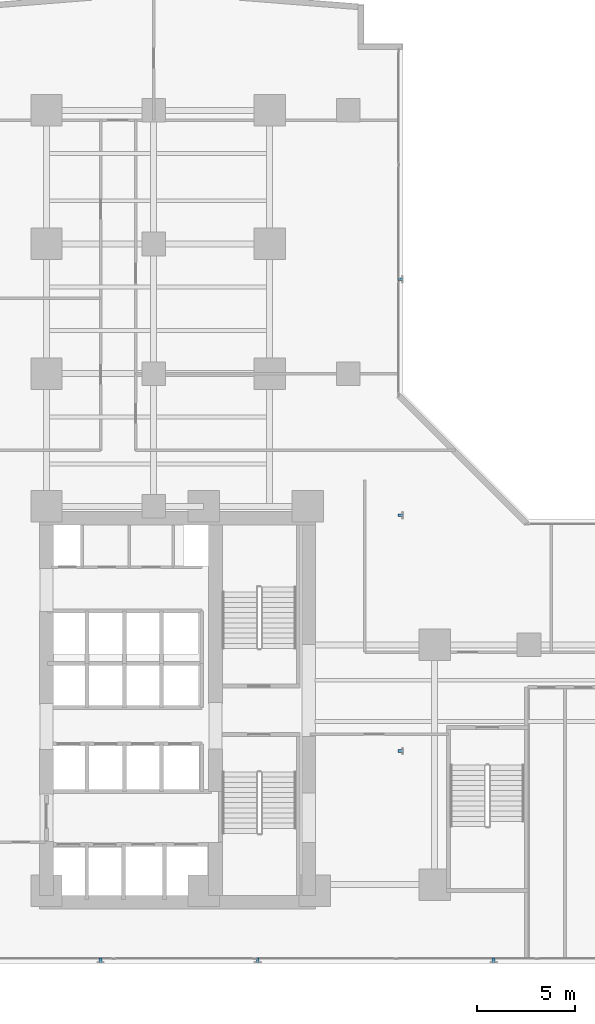
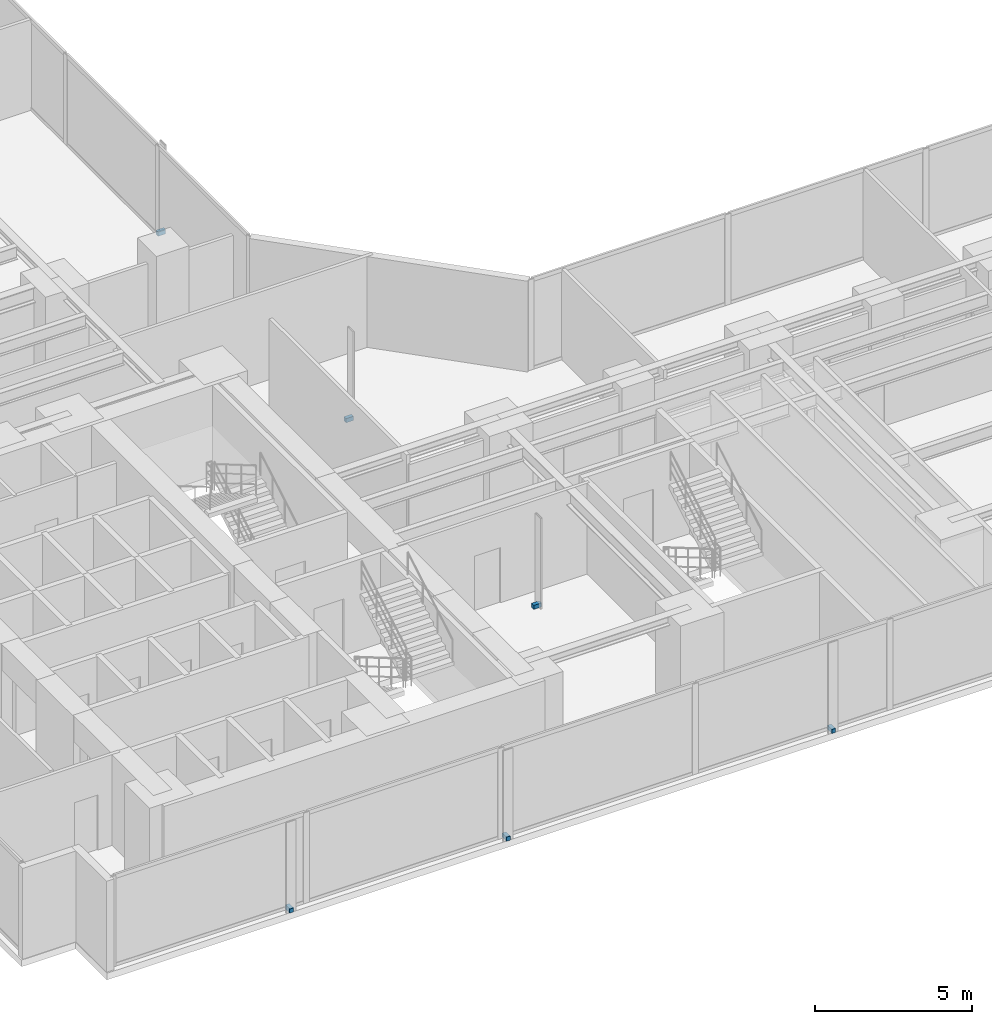
# One storey, part 25 of 28: 6 discrete accessories.
"""IFC4 building model written with IfcOpenShell, lengths in metres."""

import ifcopenshell
import ifcopenshell.guid

model = None  # the IFC model being written
_history = None  # IfcOwnerHistory: only IFC2X3 demands one
_inside = {}  # id of a spatial element -> (the spatial element, [elements in it])
_under = {}  # id of a project, library or spatial element -> (it, [spatial elements below it])
_declared = {}  # id of a project -> (the project, [libraries it declares])
_typed = {}  # id of a type object -> (the type object, [elements of that type])
_made_of = {}  # id of a material, layer set ... -> (it, [elements and type objects made of it])


def new_model(schema):
    """Start an empty IFC model of exactly this schema.

    Asked for "IFC4X3", IfcOpenShell would pick the latest addendum, in which some entities
    have other attributes; the version numbers below select the first issue.
    IFC2X3 requires an IfcOwnerHistory on every rooted entity: one is made here for all.
    """
    global model, _history
    if schema == "IFC4X3":
        model = ifcopenshell.file(schema_version=(4, 3, 0, 0))
    else:
        model = ifcopenshell.file(schema=schema)
    _inside.clear()
    _under.clear()
    _declared.clear()
    _typed.clear()
    _made_of.clear()
    _history = None
    if model.schema == "IFC2X3":
        org = make("IfcOrganization", Name="unknown")
        user = make(
            "IfcPersonAndOrganization",
            ThePerson=make("IfcPerson", FamilyName="unknown"),
            TheOrganization=org,
        )
        app = make(
            "IfcApplication",
            ApplicationDeveloper=org,
            Version="unknown",
            ApplicationFullName="unknown",
            ApplicationIdentifier="unknown",
        )
        _history = make(
            "IfcOwnerHistory",
            OwningUser=user,
            OwningApplication=app,
            ChangeAction="ADDED",
            CreationDate=0,
        )
    return model


def make(cls, **values):
    """One entity of the class cls with the attributes given. An attribute that is None is left unset."""
    return model.create_entity(
        cls, **{name: value for name, value in values.items() if value is not None}
    )


def rooted(cls, **values):
    """An entity with a GlobalId (a new one), such as an element, a storey or a relation."""
    return make(cls, GlobalId=ifcopenshell.guid.new(), OwnerHistory=_history, **values)


def si_unit(unit_type, name, prefix=None):
    """IfcSIUnit, for example si_unit("LENGTHUNIT", "METRE", prefix="MILLI")."""
    return make("IfcSIUnit", UnitType=unit_type, Prefix=prefix, Name=name)


def assignment(units):
    """IfcUnitAssignment: the units of a project."""
    return None if units is None else make("IfcUnitAssignment", Units=units)


def point(xyz):
    """IfcCartesianPoint."""
    return None if xyz is None else make("IfcCartesianPoint", Coordinates=xyz)


def direction(xyz):
    """IfcDirection."""
    return None if xyz is None else make("IfcDirection", DirectionRatios=xyz)


def frame(location, z_axis=None, x_axis=None):
    """IfcAxis2Placement3D, a coordinate frame: its origin and axes. An axis left out is left unset."""
    return make(
        "IfcAxis2Placement3D",
        Location=point(location),
        Axis=direction(z_axis),
        RefDirection=direction(x_axis),
    )


def frame_2d(location, x_axis=None):
    """IfcAxis2Placement2D, a coordinate frame in the plane: its origin and x axis."""
    return make(
        "IfcAxis2Placement2D", Location=point(location), RefDirection=direction(x_axis)
    )


def origin():
    """The frame at (0, 0, 0) with its axes left unset."""
    return frame((0.0, 0.0, 0.0))


def origin_with_axes():
    """The frame at (0, 0, 0) with the z axis (0, 0, 1) and the x axis (1, 0, 0) written out."""
    return frame((0.0, 0.0, 0.0), z_axis=(0.0, 0.0, 1.0), x_axis=(1.0, 0.0, 0.0))


def origin_2d():
    """The frame at (0, 0) in the plane with its x axis left unset."""
    return frame_2d((0.0, 0.0))


def place(relative_to, where):
    """IfcLocalPlacement: puts the frame where relative to a parent placement (None: the world)."""
    return make(
        "IfcLocalPlacement", PlacementRelTo=relative_to, RelativePlacement=where
    )


def context(
    kind, dimensions, precision=None, world=None, true_north=None, identifier=None
):
    """IfcGeometricRepresentationContext, for example the 3D "Model" context."""
    return make(
        "IfcGeometricRepresentationContext",
        ContextIdentifier=identifier,
        ContextType=kind,
        CoordinateSpaceDimension=dimensions,
        Precision=precision,
        WorldCoordinateSystem=world,
        TrueNorth=true_north,
    )


def subcontext(parent, identifier, kind, view, scale=None):
    """IfcGeometricRepresentationSubContext, for example "Body" below "Model"."""
    return make(
        "IfcGeometricRepresentationSubContext",
        ContextIdentifier=identifier,
        ContextType=kind,
        ParentContext=parent,
        TargetScale=scale,
        TargetView=view,
    )


def project(units=None, contexts=None):
    """IfcProject with its units and contexts."""
    return rooted(
        "IfcProject",
        Name="project",
        RepresentationContexts=contexts,
        UnitsInContext=assignment(units),
    )


def spatial(cls, under=None, at=None, **own):
    """A site, building, storey or space (cls), placed at a placement, below another one or the project."""
    s = rooted(cls, ObjectPlacement=at, **own)
    if under is not None:
        _under.setdefault(under.id(), (under, []))[1].append(s)
    return s


def profile(cls, at=None, kind="AREA", **sizes):
    """A parametric profile (cls). Its sizes go by their IFC names, for example OverallWidth=200.0."""
    return make(cls, ProfileType=kind, Position=at, **sizes)


def rectangle(**sizes):
    """IfcRectangleProfileDef."""
    return profile("IfcRectangleProfileDef", **sizes)


def extrude(swept, where, along, depth):
    """IfcExtrudedAreaSolid: the profile swept, set in the frame where, extruded along a direction by depth."""
    return make(
        "IfcExtrudedAreaSolid",
        SweptArea=swept,
        Position=where,
        ExtrudedDirection=direction(along),
        Depth=depth,
    )


def shape(context_of_items, identifier, shape_type, items):
    """IfcShapeRepresentation: the items that make up one representation, for example the "Body"."""
    return make(
        "IfcShapeRepresentation",
        ContextOfItems=context_of_items,
        RepresentationIdentifier=identifier,
        RepresentationType=shape_type,
        Items=items,
    )


def source(mapping_origin, context_of_items, identifier, shape_type, items):
    """IfcRepresentationMap: a shape defined once, which mapped items show again and again."""
    return make(
        "IfcRepresentationMap",
        MappingOrigin=mapping_origin,
        MappedRepresentation=shape(context_of_items, identifier, shape_type, items),
    )


def transform(
    local_origin,
    x_axis=None,
    y_axis=None,
    z_axis=None,
    scale=None,
    scale2=None,
    scale3=None,
    uniform=True,
):
    """IfcCartesianTransformationOperator3D, or its non-uniform kind. x_axis, y_axis, z_axis: its Axis1, 2, 3."""
    if uniform:
        return make(
            "IfcCartesianTransformationOperator3D",
            Axis1=direction(x_axis),
            Axis2=direction(y_axis),
            LocalOrigin=point(local_origin),
            Scale=scale,
            Axis3=direction(z_axis),
        )
    return make(
        "IfcCartesianTransformationOperator3DnonUniform",
        Axis1=direction(x_axis),
        Axis2=direction(y_axis),
        LocalOrigin=point(local_origin),
        Scale=scale,
        Axis3=direction(z_axis),
        Scale2=scale2,
        Scale3=scale3,
    )


def mapped(mapping_source, mapping_target):
    """IfcMappedItem: shows the shape of a source again, moved by a transform."""
    return make(
        "IfcMappedItem", MappingSource=mapping_source, MappingTarget=mapping_target
    )


def material(Name=None, Category=None):
    """IfcMaterial."""
    return make("IfcMaterial", Name=Name, Category=Category)


def made_of(thing, what):
    """Note that an element or type object is made of a material, layer set ...; save() writes the relation."""
    if what is not None:
        _made_of.setdefault(what.id(), (what, []))[1].append(thing)
    return thing


def type_object(cls, material=None, **own):
    """A type object (cls), such as IfcWallType, which elements share."""
    return made_of(rooted(cls, **own), material)


def element(
    cls,
    number,
    at=None,
    inside=None,
    cuts=None,
    type_object=None,
    material=None,
    context=None,
    identifier="Body",
    shape_type=None,
    held_by="IfcProductDefinitionShape",
    body=None,
    shapes=None,
    **own,
):
    """One element of the class cls, such as IfcWall. Its Tag is "e" and its number.

    at: its placement. inside: the storey or other place that contains it. cuts: it is an
    opening in that element (IfcRelVoidsElement). A single representation is given by context,
    identifier, shape_type and body (its items); several are given by shapes. held_by: the class
    of the entity that holds the representations. save() writes the other relations.
    """
    e = rooted(cls, Tag="e%d" % number, ObjectPlacement=at, **own)
    if body is not None:
        shapes = [shape(context, identifier, shape_type, body)]
    if shapes is not None:
        e.Representation = make(held_by, Representations=shapes)
    if inside is not None:
        _inside.setdefault(inside.id(), (inside, []))[1].append(e)
    if cuts is not None:
        rooted(
            "IfcRelVoidsElement", RelatingBuildingElement=cuts, RelatedOpeningElement=e
        )
    if type_object is not None:
        _typed.setdefault(type_object.id(), (type_object, []))[1].append(e)
    return made_of(e, material)


def aggregate(whole, parts):
    """IfcRelAggregates: a whole, such as a stair, and the parts it consists of."""
    return rooted("IfcRelAggregates", RelatingObject=whole, RelatedObjects=parts)


def save(model, path):
    """Write the relations noted so far, then the file.

    IfcRelAggregates (storeys below a building ...), IfcRelContainedInSpatialStructure (elements
    in a storey), IfcRelDefinesByType, IfcRelAssociatesMaterial and IfcRelDeclares: one each for
    every whole, place, type object, material and project.
    """
    for whole, parts in _under.values():
        aggregate(whole, parts)
    for where, things in _inside.values():
        rooted(
            "IfcRelContainedInSpatialStructure",
            RelatedElements=things,
            RelatingStructure=where,
        )
    for kind, things in _typed.values():
        rooted("IfcRelDefinesByType", RelatedObjects=things, RelatingType=kind)
    for what, things in _made_of.values():
        rooted("IfcRelAssociatesMaterial", RelatedObjects=things, RelatingMaterial=what)
    for by, libraries in _declared.values():
        rooted("IfcRelDeclares", RelatingContext=by, RelatedDefinitions=libraries)
    model.write(path)


model = new_model("IFC4")

# Units and contexts
model_context = context("Model", 3, precision=1e-05, world=origin(), true_north=direction((0.0, 1.0)))
body_context = subcontext(model_context, "Body", "Model", "MODEL_VIEW")
ifc_project = project(units=[si_unit("LENGTHUNIT", "METRE"), si_unit("AREAUNIT", "SQUARE_METRE"), si_unit("VOLUMEUNIT", "CUBIC_METRE"), si_unit("PLANEANGLEUNIT", "RADIAN"), si_unit("MASSUNIT", "GRAM", prefix="KILO")], contexts=[model_context])

# Site, building, storey
site_placement = place(None, origin())
site = spatial("IfcSite", under=ifc_project, at=site_placement, CompositionType="ELEMENT")
building_placement = place(site_placement, origin())
building = spatial("IfcBuilding", under=site, at=building_placement, Name="Kolvaren Waterfront Exchange", CompositionType="ELEMENT")
storey_placement = place(building_placement, frame((0.0, 0.0, 41.0)))
storey = spatial("IfcBuildingStorey", under=building, at=storey_placement, Name="L10", CompositionType="ELEMENT", Elevation=41.0)

# Discrete accessories
ifc_material = material(Name="Stainless steel 316", Category="steel")
discrete_accessory_type = type_object("IfcDiscreteAccessoryType", Name="ARC-BRK-FIN", PredefinedType="BRACKET", material=ifc_material)
shared_shape = source(origin_with_axes(), body_context, "Body", "SweptSolid", [
    extrude(rectangle(XDim=0.280029296875, YDim=0.139892578125, at=origin_2d()), origin(), (0.0, 0.0, 1.0), 0.159912109375),
])
for number, where, z_axis, x_axis, name in (
    (1, (10.199951171875, 1.320068359375, 0.0), (0.0, 0.0, 1.0), (0.0, -1.0, 0.0), "L10 bronze fin anchor bracket FIN-L10-S1"),
    (2, (18.199951171875, 1.320068359375, 0.0), (0.0, 0.0, 1.0), (0.0, -1.0, 0.0), "L10 bronze fin anchor bracket FIN-L10-S2"),
    (3, (30.199951171875, 1.320068359375, 0.0), (0.0, 0.0, 1.0), (0.0, -1.0, 0.0), "L10 bronze fin anchor bracket FIN-L10-S3"),
    (4, (25.47998046875, 12.0, 0.0), (0.0, 0.0, 1.0), (1.0, 0.0, 0.0), "L10 bronze fin anchor bracket FIN-L10-E1"),
    (5, (25.47998046875, 24.0, 0.0), (0.0, 0.0, 1.0), (1.0, 0.0, 0.0), "L10 bronze fin anchor bracket FIN-L10-E2"),
    (6, (25.47998046875, 36.0, 0.0), (0.0, 0.0, 1.0), (1.0, 0.0, 0.0), "L10 bronze fin anchor bracket FIN-L10-E3"),
):
    element("IfcDiscreteAccessory", number, at=place(storey_placement, frame(where, z_axis=z_axis, x_axis=x_axis)), inside=storey, type_object=discrete_accessory_type, Name=name, PredefinedType="BRACKET", context=body_context, shape_type="MappedRepresentation", body=[
        mapped(shared_shape, transform((0.0, 0.0, 0.0), x_axis=(1.0, 0.0, 0.0), y_axis=(0.0, 1.0, 0.0), z_axis=(0.0, 0.0, 1.0), scale=1.0)),
    ])

save(model, "model.ifc")
